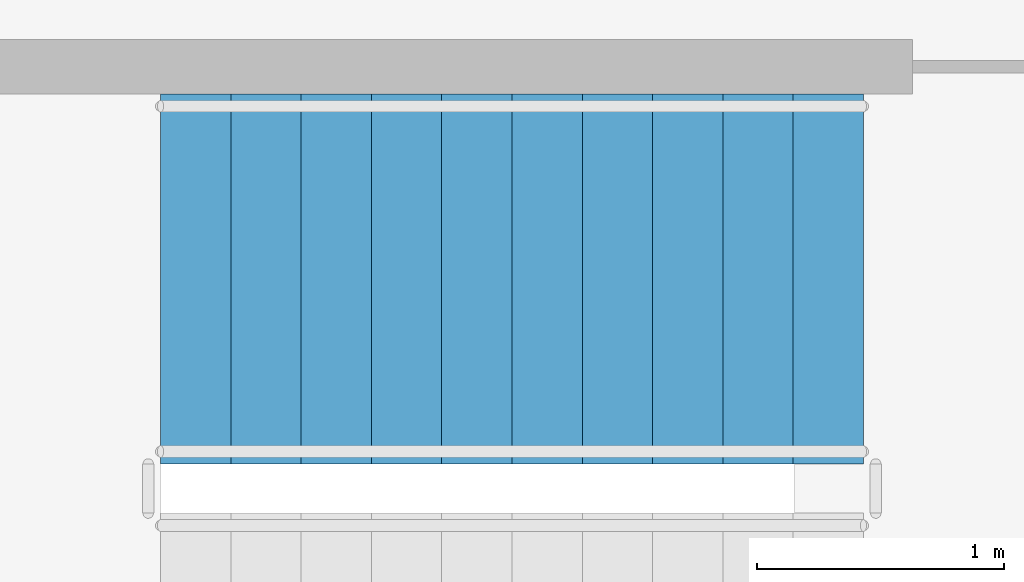
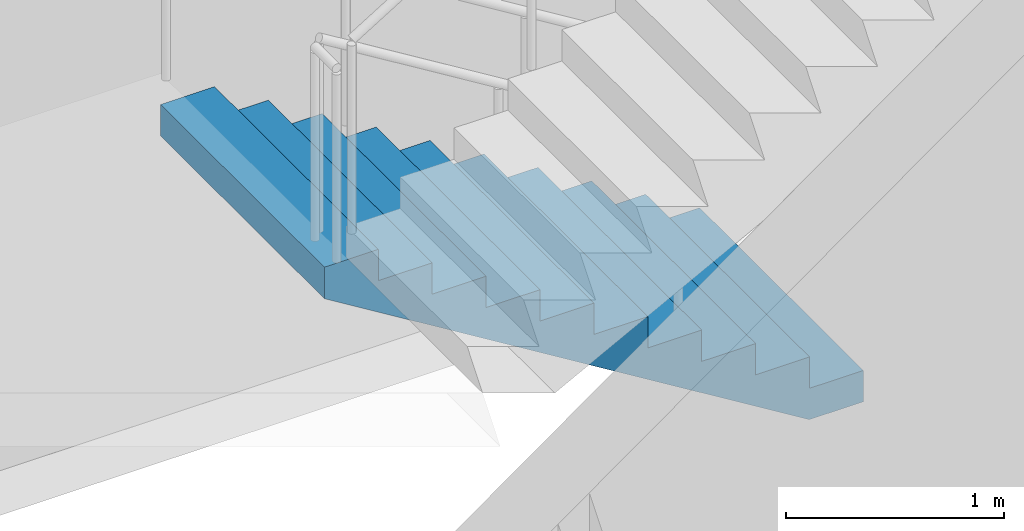
# One storey, part 10 of 11: 1 stair flight, 1 element without a shape of its own.
"""IFC4 building model written with IfcOpenShell, lengths in metres."""

from ifc_helpers import new_model, si_unit, direction, frame, origin, place, context, subcontext, project, spatial, polyline, outline, extrude, material, type_object, element, aggregate, save


model = new_model("IFC4")

# Units and contexts
model_context = context("Model", 3, precision=1e-05, world=origin(), true_north=direction((0.0, 1.0)))
body_context = subcontext(model_context, "Body", "Model", "MODEL_VIEW")
ifc_project = project(units=[si_unit("LENGTHUNIT", "METRE"), si_unit("AREAUNIT", "SQUARE_METRE"), si_unit("VOLUMEUNIT", "CUBIC_METRE"), si_unit("PLANEANGLEUNIT", "RADIAN"), si_unit("MASSUNIT", "GRAM", prefix="KILO")], contexts=[model_context])

# Site, building, storey
site_placement = place(None, origin())
site = spatial("IfcSite", under=ifc_project, at=site_placement, CompositionType="ELEMENT")
building_placement = place(site_placement, origin())
building = spatial("IfcBuilding", under=site, at=building_placement, Name="Kavelnor Concourse Tower", CompositionType="ELEMENT")
storey_placement = place(building_placement, frame((0.0, 0.0, 165.0)))
storey = spatial("IfcBuildingStorey", under=building, at=storey_placement, Name="L41", CompositionType="ELEMENT", Elevation=165.0)

# Stair, stair flight
ifc_material = material(Name="Concrete C40/50", Category="concrete")
stair_type = type_object("IfcStairType", Name="STR-CORE-1500", PredefinedType="HALF_TURN_STAIR", material=ifc_material)
stair_placement = place(storey_placement, origin())
stair = element("IfcStair", 1, at=stair_placement, inside=storey, type_object=stair_type, Name="L41 ST3", PredefinedType="HALF_TURN_STAIR")
stair_flight_type = type_object("IfcStairFlightType", Name="STR-FLIGHT-1500", PredefinedType="STRAIGHT", material=ifc_material)
stair_flight_placement = place(storey_placement, frame((38.0400390625, 19.010009765625, 0.0), z_axis=(0.0, 0.0, 1.0), x_axis=(-1.0, 0.0, 0.0)))
stair_flight = element("IfcStairFlight", 2, at=stair_flight_placement, type_object=stair_flight_type, Name="ST3 flight 1", NumberOfRisers=11, NumberOfTreads=10, PredefinedType="STRAIGHT", RiserHeight=0.175, TreadLength=0.285, context=body_context, shape_type="SweptSolid", body=[
    extrude(outline(polyline([(0.0, 0.0), (0.0, 0.175048828125), (0.284912109375, 0.175048828125), (0.284912109375, 0.35009765625), (0.570068359375, 0.35009765625), (0.570068359375, 0.52490234375), (0.85498046875, 0.52490234375), (0.85498046875, 0.699951171875), (1.139892578125, 0.699951171875), (1.139892578125, 0.875), (1.425048828125, 0.875), (1.425048828125, 1.050048828125), (1.7099609375, 1.050048828125), (1.7099609375, 1.22509765625), (1.9951171875, 1.22509765625), (1.9951171875, 1.39990234375), (2.280029296875, 1.39990234375), (2.280029296875, 1.574951171875), (2.56494140625, 1.574951171875), (2.56494140625, 1.75), (2.85009765625, 1.75), (2.85009765625, 1.925048828125), (2.85009765625, 1.573974609375), (0.286376953125, 0.0), (0.0, 0.0)])), frame((0.0, 0.75, 0.0), z_axis=(0.0, -1.0, 0.0), x_axis=(1.0, 0.0, 0.0)), (0.0, 0.0, 1.0), 1.5),
])
aggregate(stair, [stair_flight])

save(model, "model.ifc")
